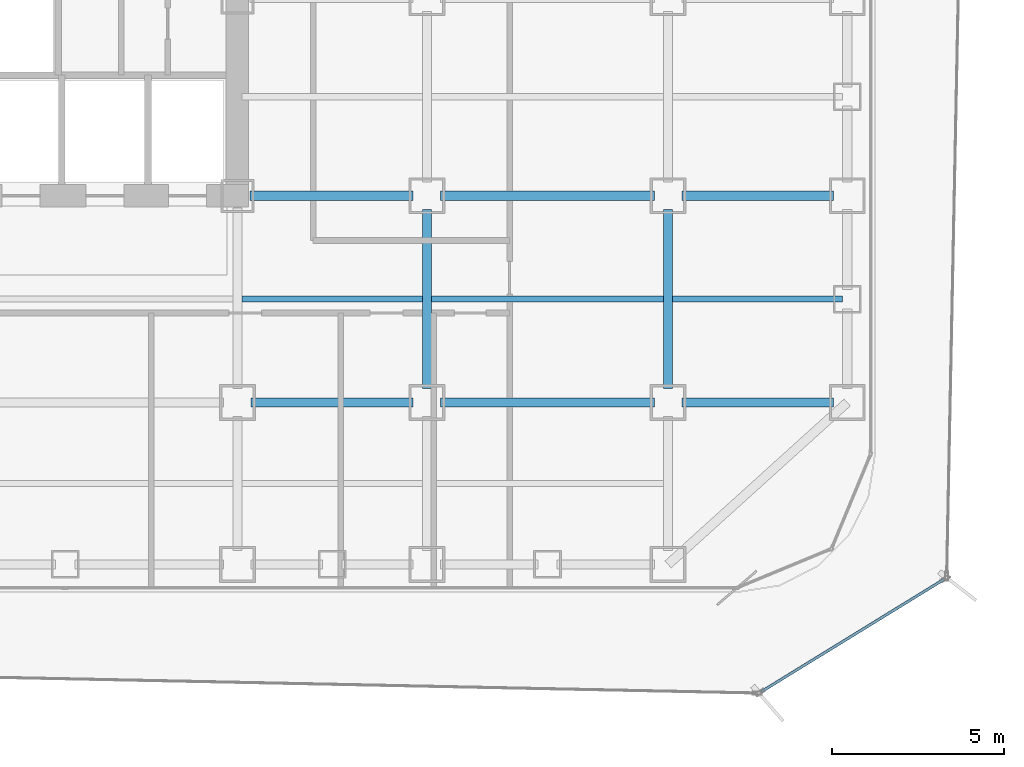
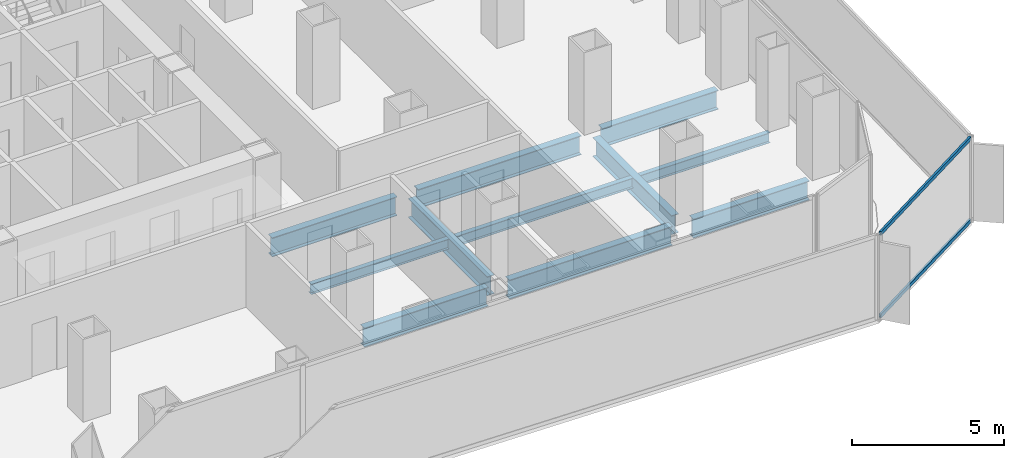
# One storey, part 7 of 21: 11 beams, 2 members, 1 element without a shape of its own.
"""IFC4 building model written with IfcOpenShell, lengths in metres."""

from ifc_helpers import new_model, si_unit, direction, frame, origin, origin_2d, place, context, subcontext, project, spatial, hollow_rectangle, i_section, extrude, source, transform, mapped, material, layer, layer_set, material_profile, profile_set, type_object, element, aggregate, save


model = new_model("IFC4")

# Units and contexts
model_context = context("Model", 3, precision=1e-05, world=origin(), true_north=direction((0.0, 1.0)))
body_context = subcontext(model_context, "Body", "Model", "MODEL_VIEW")
ifc_project = project(units=[si_unit("LENGTHUNIT", "METRE"), si_unit("AREAUNIT", "SQUARE_METRE"), si_unit("VOLUMEUNIT", "CUBIC_METRE"), si_unit("PLANEANGLEUNIT", "RADIAN"), si_unit("MASSUNIT", "GRAM", prefix="KILO")], contexts=[model_context])

# Site, building, storey
site_placement = place(None, origin())
site = spatial("IfcSite", under=ifc_project, at=site_placement, CompositionType="ELEMENT")
building_placement = place(site_placement, origin())
building = spatial("IfcBuilding", under=site, at=building_placement, Name="Kolveth Station Tower", CompositionType="ELEMENT")
storey_placement = place(building_placement, frame((0.0, 0.0, 44.10009765625)))
storey = spatial("IfcBuildingStorey", under=building, at=storey_placement, Name="L11", CompositionType="ELEMENT", Elevation=44.10009765625)

# Beams
ifc_material_1 = material(Name="Steel S355", Category="steel")
ifc_material_profile_1 = material_profile(ifc_material_1, i_section(OverallWidth=0.26708984375, OverallDepth=0.76611328125, WebThickness=0.014892578125, FlangeThickness=0.023681640625, at=origin_2d()), Name="W760x185")
ifc_profile_set_1 = profile_set([ifc_material_profile_1], Name="Steel S355")
beam_type_1 = type_object("IfcBeamType", Name="Beam_B3", PredefinedType="BEAM", material=ifc_profile_set_1)
shared_shape_1 = source(origin(), body_context, "Body", "SweptSolid", [
    extrude(i_section(OverallWidth=0.26708984375, OverallDepth=0.76611328125, WebThickness=0.014892578125, FlangeThickness=0.023681640625, at=origin_2d()), origin(), (0.0, 0.0, 1.0), 4.400146484375),
])
for number, where, z_axis, x_axis, name in (
    (1, (41.39990234375, 5.5, -0.6630859375), (1.0, 0.0, 0.0), (0.0, 1.0, 0.0), "L11 Primary Girder BM-L11-GY55-7"),
    (2, (41.39990234375, 11.5, -0.6630859375), (1.0, 0.0, 0.0), (0.0, 1.0, 0.0), "L11 Primary Girder BM-L11-GY115-7"),
):
    element("IfcBeam", number, at=place(storey_placement, frame(where, z_axis=z_axis, x_axis=x_axis)), inside=storey, type_object=beam_type_1, Name=name, PredefinedType="BEAM", context=body_context, shape_type="MappedRepresentation", body=[
        mapped(shared_shape_1, transform((0.0, 0.0, 0.0), x_axis=(1.0, 0.0, 0.0), y_axis=(0.0, 1.0, 0.0), z_axis=(0.0, 0.0, 1.0), scale=1.0)),
    ])
shared_shape_2 = source(origin(), body_context, "Body", "SweptSolid", [
    extrude(i_section(OverallWidth=0.26708984375, OverallDepth=0.76611328125, WebThickness=0.014892578125, FlangeThickness=0.023681640625, at=origin_2d()), origin(), (0.0, 0.0, 1.0), 6.2001953125),
])
for number, where, z_axis, x_axis, name in (
    (3, (34.39990234375, 5.5, -0.6630859375), (1.0, 0.0, 0.0), (0.0, 1.0, 0.0), "L11 Primary Girder BM-L11-GY55-6"),
    (4, (34.39990234375, 11.5, -0.6630859375), (1.0, 0.0, 0.0), (0.0, 1.0, 0.0), "L11 Primary Girder BM-L11-GY115-6"),
):
    element("IfcBeam", number, at=place(storey_placement, frame(where, z_axis=z_axis, x_axis=x_axis)), inside=storey, type_object=beam_type_1, Name=name, PredefinedType="BEAM", context=body_context, shape_type="MappedRepresentation", body=[
        mapped(shared_shape_2, transform((0.0, 0.0, 0.0), x_axis=(1.0, 0.0, 0.0), y_axis=(0.0, 1.0, 0.0), z_axis=(0.0, 0.0, 1.0), scale=1.0)),
    ])
shared_shape_3 = source(origin(), body_context, "Body", "SweptSolid", [
    extrude(i_section(OverallWidth=0.26708984375, OverallDepth=0.76611328125, WebThickness=0.014892578125, FlangeThickness=0.023681640625, at=origin_2d()), origin(), (0.0, 0.0, 1.0), 4.7001953125),
])
beam_1_placement = place(storey_placement, frame((28.89990234375, 5.5, -0.6630859375), z_axis=(1.0, 0.0, 0.0), x_axis=(0.0, 1.0, 0.0)))
element("IfcBeam", 5, at=beam_1_placement, inside=storey, type_object=beam_type_1, Name="L11 Primary Girder BM-L11-GY55-5", PredefinedType="BEAM", context=body_context, shape_type="MappedRepresentation", body=[
    mapped(shared_shape_3, transform((0.0, 0.0, 0.0), x_axis=(1.0, 0.0, 0.0), y_axis=(0.0, 1.0, 0.0), z_axis=(0.0, 0.0, 1.0), scale=1.0)),
])
shared_shape_4 = source(origin(), body_context, "Body", "SweptSolid", [
    extrude(i_section(OverallWidth=0.26708984375, OverallDepth=0.76611328125, WebThickness=0.014892578125, FlangeThickness=0.023681640625, at=origin_2d()), origin(), (0.0, 0.0, 1.0), 4.739990234375),
])
beam_2_placement = place(storey_placement, frame((28.860107421875, 11.5, -0.6630859375), z_axis=(1.0, 0.0, 0.0), x_axis=(0.0, 1.0, 0.0)))
element("IfcBeam", 6, at=beam_2_placement, inside=storey, type_object=beam_type_1, Name="L11 Primary Girder BM-L11-GY115-5", PredefinedType="BEAM", context=body_context, shape_type="MappedRepresentation", body=[
    mapped(shared_shape_4, transform((0.0, 0.0, 0.0), x_axis=(1.0, 0.0, 0.0), y_axis=(0.0, 1.0, 0.0), z_axis=(0.0, 0.0, 1.0), scale=1.0)),
])
shared_shape_5 = source(origin(), body_context, "Body", "SweptSolid", [
    extrude(i_section(OverallWidth=0.26708984375, OverallDepth=0.76611328125, WebThickness=0.014892578125, FlangeThickness=0.023681640625, at=origin_2d()), origin(), (0.0, 0.0, 1.0), 5.2001953125),
])
for number, where, z_axis, x_axis, name in (
    (7, (34.0, 5.89990234375, -0.6630859375), (0.0, 1.0, 0.0), (-1.0, 0.0, 0.0), "L11 Primary Girder BM-L11-GX340-2"),
    (8, (41.0, 5.89990234375, -0.6630859375), (0.0, 1.0, 0.0), (-1.0, 0.0, 0.0), "L11 Primary Girder BM-L11-GX410-2"),
):
    element("IfcBeam", number, at=place(storey_placement, frame(where, z_axis=z_axis, x_axis=x_axis)), inside=storey, type_object=beam_type_1, Name=name, PredefinedType="BEAM", context=body_context, shape_type="MappedRepresentation", body=[
        mapped(shared_shape_5, transform((0.0, 0.0, 0.0), x_axis=(1.0, 0.0, 0.0), y_axis=(0.0, 1.0, 0.0), z_axis=(0.0, 0.0, 1.0), scale=1.0)),
    ])
ifc_material_profile_2 = material_profile(ifc_material_1, i_section(OverallWidth=0.177978515625, OverallDepth=0.406982421875, WebThickness=0.0078125, FlangeThickness=0.0126953125, at=origin_2d()), Name="W410x60")
ifc_profile_set_2 = profile_set([ifc_material_profile_2], Name="Steel S355")
beam_type_2 = type_object("IfcBeamType", Name="Beam_J1", PredefinedType="JOIST", material=ifc_profile_set_2)
shared_shape_6 = source(origin(), body_context, "Body", "SweptSolid", [
    extrude(i_section(OverallWidth=0.177978515625, OverallDepth=0.406982421875, WebThickness=0.0078125, FlangeThickness=0.0126953125, at=origin_2d()), origin(), (0.0, 0.0, 1.0), 4.935791015625),
])
beam_3_placement = place(storey_placement, frame((41.131591796875, 8.5, -0.483642578125), z_axis=(1.0, 0.0, 0.0), x_axis=(0.0, 1.0, 0.0)))
element("IfcBeam", 9, at=beam_3_placement, inside=storey, type_object=beam_type_2, Name="L11 Secondary Joist JST-L11-7-2", PredefinedType="JOIST", context=body_context, shape_type="MappedRepresentation", body=[
    mapped(shared_shape_6, transform((0.0, 0.0, 0.0), x_axis=(1.0, 0.0, 0.0), y_axis=(0.0, 1.0, 0.0), z_axis=(0.0, 0.0, 1.0), scale=1.0)),
])
shared_shape_7 = source(origin(), body_context, "Body", "SweptSolid", [
    extrude(i_section(OverallWidth=0.177978515625, OverallDepth=0.406982421875, WebThickness=0.0078125, FlangeThickness=0.0126953125, at=origin_2d()), origin(), (0.0, 0.0, 1.0), 6.73681640625),
])
beam_4_placement = place(storey_placement, frame((34.131591796875, 8.5, -0.483642578125), z_axis=(1.0, 0.0, 0.0), x_axis=(0.0, 1.0, 0.0)))
element("IfcBeam", 10, at=beam_4_placement, inside=storey, type_object=beam_type_2, Name="L11 Secondary Joist JST-L11-6-2", PredefinedType="JOIST", context=body_context, shape_type="MappedRepresentation", body=[
    mapped(shared_shape_7, transform((0.0, 0.0, 0.0), x_axis=(1.0, 0.0, 0.0), y_axis=(0.0, 1.0, 0.0), z_axis=(0.0, 0.0, 1.0), scale=1.0)),
])
shared_shape_8 = source(origin(), body_context, "Body", "SweptSolid", [
    extrude(i_section(OverallWidth=0.177978515625, OverallDepth=0.406982421875, WebThickness=0.0078125, FlangeThickness=0.0126953125, at=origin_2d()), origin(), (0.0, 0.0, 1.0), 5.23681640625),
])
beam_5_placement = place(storey_placement, frame((28.631591796875, 8.5, -0.483642578125), z_axis=(1.0, 0.0, 0.0), x_axis=(0.0, 1.0, 0.0)))
element("IfcBeam", 11, at=beam_5_placement, inside=storey, type_object=beam_type_2, Name="L11 Secondary Joist JST-L11-5-2", PredefinedType="JOIST", context=body_context, shape_type="MappedRepresentation", body=[
    mapped(shared_shape_8, transform((0.0, 0.0, 0.0), x_axis=(1.0, 0.0, 0.0), y_axis=(0.0, 1.0, 0.0), z_axis=(0.0, 0.0, 1.0), scale=1.0)),
])

# Curtain wall, members
ifc_material_2 = material(Name="Black anodized aluminium 6063-T6 and dark solar glass", Category="aluminium")
ifc_layer = layer(ifc_material_2, 0.159912109375)
ifc_layer_set = layer_set([ifc_layer], Name="Black anodized aluminium 6063-T6 and dark solar glass")
curtain_wall_type = type_object("IfcCurtainWallType", Name="OUTER SKIN CW-OS", PredefinedType="NOTDEFINED", material=ifc_layer_set)
curtain_wall_placement = place(storey_placement, origin())
curtain_wall = element("IfcCurtainWall", 12, at=curtain_wall_placement, inside=storey, type_object=curtain_wall_type, Name="L11 Outer Ventilated Skin Curtain Wall 1", PredefinedType="NOTDEFINED")
ifc_material_3 = material(Name="Black anodized aluminium 6063-T6", Category="aluminium")
ifc_material_profile_3 = material_profile(ifc_material_3, hollow_rectangle(XDim=0.080078125, YDim=0.14990234375, WallThickness=0.0048828125, at=origin_2d()), Name="ALU-80x150x5")
ifc_profile_set_3 = profile_set([ifc_material_profile_3], Name="Black anodized aluminium 6063-T6")
member_type = type_object("IfcMemberType", Name="Transom_TR-OS", PredefinedType="USERDEFINED", material=ifc_profile_set_3)
shared_shape_9 = source(origin(), body_context, "Body", "SweptSolid", [
    extrude(hollow_rectangle(XDim=0.080078125, YDim=0.14990234375, WallThickness=0.0048828125, at=origin_2d()), origin(), (0.0, 0.0, 1.0), 6.2197265625),
])
member_1_placement = place(storey_placement, frame((43.7138671875, -2.890380859375, 0.039794921875), z_axis=(0.851869843172, 0.523753539648, 0.0), x_axis=(-0.523753539648, 0.851869843172, 0.0)))
member_1 = element("IfcMember", 13, at=member_1_placement, type_object=member_type, Name="CW-OS transom 1.1", ObjectType="TRANSOM", PredefinedType="USERDEFINED", context=body_context, shape_type="MappedRepresentation", body=[
    mapped(shared_shape_9, transform((0.0, 0.0, 0.0), x_axis=(1.0, 0.0, 0.0), y_axis=(0.0, 1.0, 0.0), z_axis=(0.0, 0.0, 1.0), scale=1.0)),
])
member_2_placement = place(storey_placement, frame((43.7138671875, -2.890380859375, 3.349853515625), z_axis=(0.851869843172, 0.523753539648, 0.0), x_axis=(-0.523753539648, 0.851869843172, 0.0)))
member_2 = element("IfcMember", 14, at=member_2_placement, type_object=member_type, Name="CW-OS transom 1.2", ObjectType="TRANSOM", PredefinedType="USERDEFINED", context=body_context, shape_type="MappedRepresentation", body=[
    mapped(shared_shape_9, transform((0.0, 0.0, 0.0), x_axis=(1.0, 0.0, 0.0), y_axis=(0.0, 1.0, 0.0), z_axis=(0.0, 0.0, 1.0), scale=1.0)),
])
aggregate(curtain_wall, [member_1, member_2])

save(model, "model.ifc")
